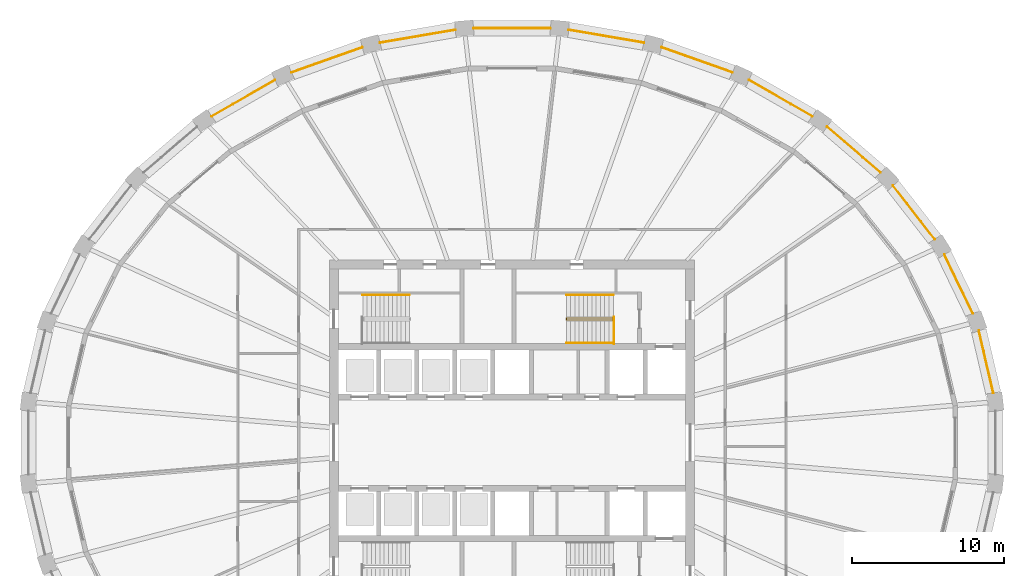
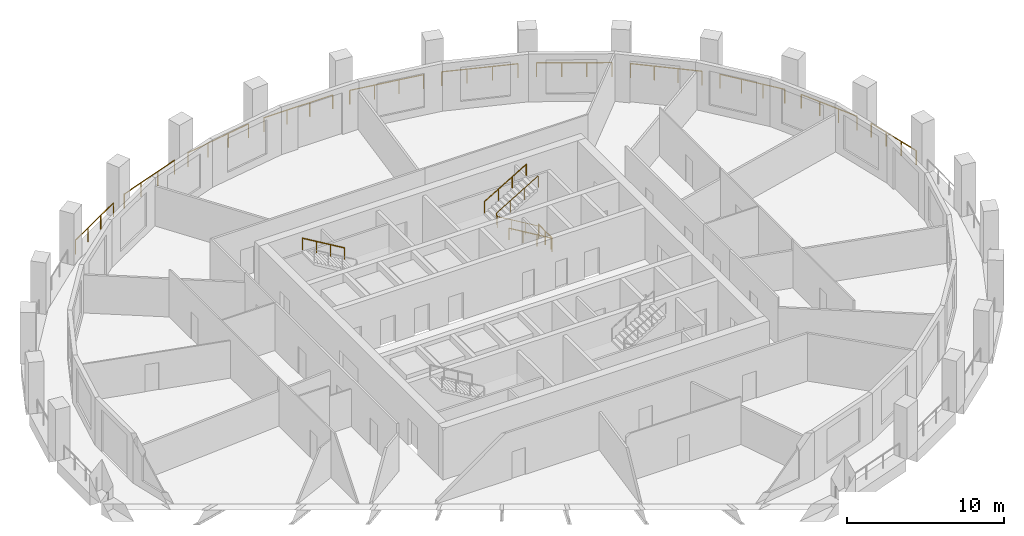
# One storey, part 10 of 11: 16 railings.
"""IFC4 building model written with IfcOpenShell, lengths in metres."""

import ifcopenshell
import ifcopenshell.guid

model = None  # the IFC model being written
_history = None  # IfcOwnerHistory: only IFC2X3 demands one
_inside = {}  # id of a spatial element -> (the spatial element, [elements in it])
_under = {}  # id of a project, library or spatial element -> (it, [spatial elements below it])
_declared = {}  # id of a project -> (the project, [libraries it declares])
_typed = {}  # id of a type object -> (the type object, [elements of that type])
_made_of = {}  # id of a material, layer set ... -> (it, [elements and type objects made of it])


def new_model(schema):
    """Start an empty IFC model of exactly this schema.

    Asked for "IFC4X3", IfcOpenShell would pick the latest addendum, in which some entities
    have other attributes; the version numbers below select the first issue.
    IFC2X3 requires an IfcOwnerHistory on every rooted entity: one is made here for all.
    """
    global model, _history
    if schema == "IFC4X3":
        model = ifcopenshell.file(schema_version=(4, 3, 0, 0))
    else:
        model = ifcopenshell.file(schema=schema)
    _inside.clear()
    _under.clear()
    _declared.clear()
    _typed.clear()
    _made_of.clear()
    _history = None
    if model.schema == "IFC2X3":
        org = make("IfcOrganization", Name="unknown")
        user = make(
            "IfcPersonAndOrganization",
            ThePerson=make("IfcPerson", FamilyName="unknown"),
            TheOrganization=org,
        )
        app = make(
            "IfcApplication",
            ApplicationDeveloper=org,
            Version="unknown",
            ApplicationFullName="unknown",
            ApplicationIdentifier="unknown",
        )
        _history = make(
            "IfcOwnerHistory",
            OwningUser=user,
            OwningApplication=app,
            ChangeAction="ADDED",
            CreationDate=0,
        )
    return model


def make(cls, **values):
    """One entity of the class cls with the attributes given. An attribute that is None is left unset."""
    return model.create_entity(
        cls, **{name: value for name, value in values.items() if value is not None}
    )


def rooted(cls, **values):
    """An entity with a GlobalId (a new one), such as an element, a storey or a relation."""
    return make(cls, GlobalId=ifcopenshell.guid.new(), OwnerHistory=_history, **values)


def si_unit(unit_type, name, prefix=None):
    """IfcSIUnit, for example si_unit("LENGTHUNIT", "METRE", prefix="MILLI")."""
    return make("IfcSIUnit", UnitType=unit_type, Prefix=prefix, Name=name)


def assignment(units):
    """IfcUnitAssignment: the units of a project."""
    return None if units is None else make("IfcUnitAssignment", Units=units)


def point(xyz):
    """IfcCartesianPoint."""
    return None if xyz is None else make("IfcCartesianPoint", Coordinates=xyz)


def direction(xyz):
    """IfcDirection."""
    return None if xyz is None else make("IfcDirection", DirectionRatios=xyz)


def frame(location, z_axis=None, x_axis=None):
    """IfcAxis2Placement3D, a coordinate frame: its origin and axes. An axis left out is left unset."""
    return make(
        "IfcAxis2Placement3D",
        Location=point(location),
        Axis=direction(z_axis),
        RefDirection=direction(x_axis),
    )


def frame_2d(location, x_axis=None):
    """IfcAxis2Placement2D, a coordinate frame in the plane: its origin and x axis."""
    return make(
        "IfcAxis2Placement2D", Location=point(location), RefDirection=direction(x_axis)
    )


def origin():
    """The frame at (0, 0, 0) with its axes left unset."""
    return frame((0.0, 0.0, 0.0))


def origin_2d():
    """The frame at (0, 0) in the plane with its x axis left unset."""
    return frame_2d((0.0, 0.0))


def place(relative_to, where):
    """IfcLocalPlacement: puts the frame where relative to a parent placement (None: the world)."""
    return make(
        "IfcLocalPlacement", PlacementRelTo=relative_to, RelativePlacement=where
    )


def context(
    kind, dimensions, precision=None, world=None, true_north=None, identifier=None
):
    """IfcGeometricRepresentationContext, for example the 3D "Model" context."""
    return make(
        "IfcGeometricRepresentationContext",
        ContextIdentifier=identifier,
        ContextType=kind,
        CoordinateSpaceDimension=dimensions,
        Precision=precision,
        WorldCoordinateSystem=world,
        TrueNorth=true_north,
    )


def subcontext(parent, identifier, kind, view, scale=None):
    """IfcGeometricRepresentationSubContext, for example "Body" below "Model"."""
    return make(
        "IfcGeometricRepresentationSubContext",
        ContextIdentifier=identifier,
        ContextType=kind,
        ParentContext=parent,
        TargetScale=scale,
        TargetView=view,
    )


def project(units=None, contexts=None):
    """IfcProject with its units and contexts."""
    return rooted(
        "IfcProject",
        Name="project",
        RepresentationContexts=contexts,
        UnitsInContext=assignment(units),
    )


def spatial(cls, under=None, at=None, **own):
    """A site, building, storey or space (cls), placed at a placement, below another one or the project."""
    s = rooted(cls, ObjectPlacement=at, **own)
    if under is not None:
        _under.setdefault(under.id(), (under, []))[1].append(s)
    return s


def profile(cls, at=None, kind="AREA", **sizes):
    """A parametric profile (cls). Its sizes go by their IFC names, for example OverallWidth=200.0."""
    return make(cls, ProfileType=kind, Position=at, **sizes)


def circle(**sizes):
    """IfcCircleProfileDef."""
    return profile("IfcCircleProfileDef", **sizes)


def extrude(swept, where, along, depth):
    """IfcExtrudedAreaSolid: the profile swept, set in the frame where, extruded along a direction by depth."""
    return make(
        "IfcExtrudedAreaSolid",
        SweptArea=swept,
        Position=where,
        ExtrudedDirection=direction(along),
        Depth=depth,
    )


def shape(context_of_items, identifier, shape_type, items):
    """IfcShapeRepresentation: the items that make up one representation, for example the "Body"."""
    return make(
        "IfcShapeRepresentation",
        ContextOfItems=context_of_items,
        RepresentationIdentifier=identifier,
        RepresentationType=shape_type,
        Items=items,
    )


def material(Name=None, Category=None):
    """IfcMaterial."""
    return make("IfcMaterial", Name=Name, Category=Category)


def made_of(thing, what):
    """Note that an element or type object is made of a material, layer set ...; save() writes the relation."""
    if what is not None:
        _made_of.setdefault(what.id(), (what, []))[1].append(thing)
    return thing


def type_object(cls, material=None, **own):
    """A type object (cls), such as IfcWallType, which elements share."""
    return made_of(rooted(cls, **own), material)


def element(
    cls,
    number,
    at=None,
    inside=None,
    cuts=None,
    type_object=None,
    material=None,
    context=None,
    identifier="Body",
    shape_type=None,
    held_by="IfcProductDefinitionShape",
    body=None,
    shapes=None,
    **own,
):
    """One element of the class cls, such as IfcWall. Its Tag is "e" and its number.

    at: its placement. inside: the storey or other place that contains it. cuts: it is an
    opening in that element (IfcRelVoidsElement). A single representation is given by context,
    identifier, shape_type and body (its items); several are given by shapes. held_by: the class
    of the entity that holds the representations. save() writes the other relations.
    """
    e = rooted(cls, Tag="e%d" % number, ObjectPlacement=at, **own)
    if body is not None:
        shapes = [shape(context, identifier, shape_type, body)]
    if shapes is not None:
        e.Representation = make(held_by, Representations=shapes)
    if inside is not None:
        _inside.setdefault(inside.id(), (inside, []))[1].append(e)
    if cuts is not None:
        rooted(
            "IfcRelVoidsElement", RelatingBuildingElement=cuts, RelatedOpeningElement=e
        )
    if type_object is not None:
        _typed.setdefault(type_object.id(), (type_object, []))[1].append(e)
    return made_of(e, material)


def aggregate(whole, parts):
    """IfcRelAggregates: a whole, such as a stair, and the parts it consists of."""
    return rooted("IfcRelAggregates", RelatingObject=whole, RelatedObjects=parts)


def save(model, path):
    """Write the relations noted so far, then the file.

    IfcRelAggregates (storeys below a building ...), IfcRelContainedInSpatialStructure (elements
    in a storey), IfcRelDefinesByType, IfcRelAssociatesMaterial and IfcRelDeclares: one each for
    every whole, place, type object, material and project.
    """
    for whole, parts in _under.values():
        aggregate(whole, parts)
    for where, things in _inside.values():
        rooted(
            "IfcRelContainedInSpatialStructure",
            RelatedElements=things,
            RelatingStructure=where,
        )
    for kind, things in _typed.values():
        rooted("IfcRelDefinesByType", RelatedObjects=things, RelatingType=kind)
    for what, things in _made_of.values():
        rooted("IfcRelAssociatesMaterial", RelatedObjects=things, RelatingMaterial=what)
    for by, libraries in _declared.values():
        rooted("IfcRelDeclares", RelatingContext=by, RelatedDefinitions=libraries)
    model.write(path)


model = new_model("IFC4")

# Units and contexts
model_context = context("Model", 3, precision=1e-05, world=origin(), true_north=direction((0.0, 1.0)))
body_context = subcontext(model_context, "Body", "Model", "MODEL_VIEW")
ifc_project = project(units=[si_unit("LENGTHUNIT", "METRE"), si_unit("AREAUNIT", "SQUARE_METRE"), si_unit("VOLUMEUNIT", "CUBIC_METRE"), si_unit("PLANEANGLEUNIT", "RADIAN"), si_unit("MASSUNIT", "GRAM", prefix="KILO")], contexts=[model_context])

# Site, building, storey
site_placement = place(None, origin())
site = spatial("IfcSite", under=ifc_project, at=site_placement, CompositionType="ELEMENT")
building_placement = place(site_placement, origin())
building = spatial("IfcBuilding", under=site, at=building_placement, Name="Halqa Exchange Tower", CompositionType="ELEMENT")
storey_placement = place(building_placement, frame((0.0, 0.0, 218.89990234375)))
storey = spatial("IfcBuildingStorey", under=building, at=storey_placement, Name="L50", CompositionType="ELEMENT", Elevation=218.89990234375)

# Railings
ifc_material = material(Name="Stainless steel", Category="steel")
railing_type_1 = type_object("IfcRailingType", Name="Guard 1100 stainless steel", PredefinedType="GUARDRAIL", material=ifc_material)
railing_1_placement = place(storey_placement, frame((31.60546875, 3.26416015625, 0.0)))
element("IfcRailing", 1, at=railing_1_placement, inside=storey, type_object=railing_type_1, Name="Loggia guard 1", PredefinedType="GUARDRAIL", context=body_context, shape_type="SweptSolid", body=[
    extrude(circle(Radius=0.02392578125, at=origin_2d()), frame((0.0, 0.0, 1.076171875), z_axis=(-0.226057733886, 0.974113905532, 0.0), x_axis=(-0.974113905532, -0.226057733886, 0.0)), (0.0, 0.0, 1.0), 4.19580078125),
    extrude(circle(Radius=0.02099609375, at=origin_2d()), origin(), (0.0, 0.0, 1.0), 1.052001953125),
    extrude(circle(Radius=0.02099609375, at=origin_2d()), frame((-0.316162109375, 1.3623046875, 0.0)), (0.0, 0.0, 1.0), 1.052001953125),
    extrude(circle(Radius=0.02099609375, at=origin_2d()), frame((-0.63232421875, 2.724853515625, 0.0)), (0.0, 0.0, 1.0), 1.052001953125),
    extrude(circle(Radius=0.02099609375, at=origin_2d()), frame((-0.948486328125, 4.087158203125, 0.0)), (0.0, 0.0, 1.0), 1.052001953125),
])
railing_2_placement = place(storey_placement, frame((30.26025390625, 8.47607421875, 0.0)))
element("IfcRailing", 2, at=railing_2_placement, inside=storey, type_object=railing_type_1, Name="Loggia guard 2", PredefinedType="GUARDRAIL", context=body_context, shape_type="SweptSolid", body=[
    extrude(circle(Radius=0.02392578125, at=origin_2d()), frame((0.0, 0.0, 1.076171875), z_axis=(-0.435111117013, 0.900376763278, 0.0), x_axis=(-0.900376763278, -0.435111117013, 0.0)), (0.0, 0.0, 1.0), 4.299072265625),
    extrude(circle(Radius=0.02099609375, at=origin_2d()), origin(), (0.0, 0.0, 1.0), 1.052001953125),
    extrude(circle(Radius=0.02099609375, at=origin_2d()), frame((-0.62353515625, 1.290283203125, 0.0)), (0.0, 0.0, 1.0), 1.052001953125),
    extrude(circle(Radius=0.02099609375, at=origin_2d()), frame((-1.2470703125, 2.58056640625, 0.0)), (0.0, 0.0, 1.0), 1.052001953125),
    extrude(circle(Radius=0.02099609375, at=origin_2d()), frame((-1.87060546875, 3.870849609375, 0.0)), (0.0, 0.0, 1.0), 1.052001953125),
])
railing_3_placement = place(storey_placement, frame((27.759765625, 13.3603515625, 0.0)))
element("IfcRailing", 3, at=railing_3_placement, inside=storey, type_object=railing_type_1, Name="Loggia guard 3", PredefinedType="GUARDRAIL", context=body_context, shape_type="SweptSolid", body=[
    extrude(circle(Radius=0.02392578125, at=origin_2d()), frame((0.0, 0.0, 1.076171875), z_axis=(-0.614817574513, 0.788669354083, 0.0), x_axis=(-0.788669354083, -0.614817574513, 0.0)), (0.0, 0.0, 1.0), 4.4501953125),
    extrude(circle(Radius=0.02099609375, at=origin_2d()), origin(), (0.0, 0.0, 1.0), 1.052001953125),
    extrude(circle(Radius=0.02099609375, at=origin_2d()), frame((-0.912109375, 1.169921875, 0.0)), (0.0, 0.0, 1.0), 1.052001953125),
    extrude(circle(Radius=0.02099609375, at=origin_2d()), frame((-1.823974609375, 2.33984375, 0.0)), (0.0, 0.0, 1.0), 1.052001953125),
    extrude(circle(Radius=0.02099609375, at=origin_2d()), frame((-2.736083984375, 3.509765625, 0.0)), (0.0, 0.0, 1.0), 1.052001953125),
])
railing_4_placement = place(storey_placement, frame((24.199462890625, 17.733642578125, 0.0)))
element("IfcRailing", 4, at=railing_4_placement, inside=storey, type_object=railing_type_1, Name="Loggia guard 4", PredefinedType="GUARDRAIL", context=body_context, shape_type="SweptSolid", body=[
    extrude(circle(Radius=0.02392578125, at=origin_2d()), frame((0.0, 0.0, 1.076171875), z_axis=(-0.759282695438, 0.650760930302, 0.0), x_axis=(-0.650760930302, -0.759282695438, 0.0)), (0.0, 0.0, 1.0), 4.623046875),
    extrude(circle(Radius=0.02099609375, at=origin_2d()), origin(), (0.0, 0.0, 1.0), 1.052001953125),
    extrude(circle(Radius=0.02099609375, at=origin_2d()), frame((-1.170166015625, 1.0029296875, 0.0)), (0.0, 0.0, 1.0), 1.052001953125),
    extrude(circle(Radius=0.02099609375, at=origin_2d()), frame((-2.340087890625, 2.005615234375, 0.0)), (0.0, 0.0, 1.0), 1.052001953125),
    extrude(circle(Radius=0.02099609375, at=origin_2d()), frame((-3.51025390625, 3.008544921875, 0.0)), (0.0, 0.0, 1.0), 1.052001953125),
])
railing_5_placement = place(storey_placement, frame((19.713134765625, 21.430908203125, 0.0)))
element("IfcRailing", 5, at=railing_5_placement, inside=storey, type_object=railing_type_1, Name="Loggia guard 5", PredefinedType="GUARDRAIL", context=body_context, shape_type="SweptSolid", body=[
    extrude(circle(Radius=0.02392578125, at=origin_2d()), frame((0.0, 0.0, 1.076171875), z_axis=(-0.867744081254, 0.497011276983, 0.0), x_axis=(-0.497011276983, -0.867744081254, 0.0)), (0.0, 0.0, 1.0), 4.790771484375),
    extrude(circle(Radius=0.02099609375, at=origin_2d()), origin(), (0.0, 0.0, 1.0), 1.052001953125),
    extrude(circle(Radius=0.02099609375, at=origin_2d()), frame((-1.3857421875, 0.793701171875, 0.0)), (0.0, 0.0, 1.0), 1.052001953125),
    extrude(circle(Radius=0.02099609375, at=origin_2d()), frame((-2.771484375, 1.58740234375, 0.0)), (0.0, 0.0, 1.0), 1.052001953125),
    extrude(circle(Radius=0.02099609375, at=origin_2d()), frame((-4.1572265625, 2.381103515625, 0.0)), (0.0, 0.0, 1.0), 1.052001953125),
])
railing_6_placement = place(storey_placement, frame((14.4697265625, 24.310791015625, 0.0)))
element("IfcRailing", 6, at=railing_6_placement, inside=storey, type_object=railing_type_1, Name="Loggia guard 6", PredefinedType="GUARDRAIL", context=body_context, shape_type="SweptSolid", body=[
    extrude(circle(Radius=0.02392578125, at=origin_2d()), frame((0.0, 0.0, 1.076171875), z_axis=(-0.942353210316, 0.334619824589, 0.0), x_axis=(-0.334619824589, -0.942353210316, 0.0)), (0.0, 0.0, 1.0), 4.929931640625),
    extrude(circle(Radius=0.02099609375, at=origin_2d()), origin(), (0.0, 0.0, 1.0), 1.052001953125),
    extrude(circle(Radius=0.02099609375, at=origin_2d()), frame((-1.548583984375, 0.5498046875, 0.0)), (0.0, 0.0, 1.0), 1.052001953125),
    extrude(circle(Radius=0.02099609375, at=origin_2d()), frame((-3.09716796875, 1.099853515625, 0.0)), (0.0, 0.0, 1.0), 1.052001953125),
    extrude(circle(Radius=0.02099609375, at=origin_2d()), frame((-4.645751953125, 1.649658203125, 0.0)), (0.0, 0.0, 1.0), 1.052001953125),
])
railing_7_placement = place(storey_placement, frame((8.6669921875, 26.261962890625, 0.0)))
element("IfcRailing", 7, at=railing_7_placement, inside=storey, type_object=railing_type_1, Name="Loggia guard 7", PredefinedType="GUARDRAIL", context=body_context, shape_type="SweptSolid", body=[
    extrude(circle(Radius=0.02392578125, at=origin_2d()), frame((0.0, 0.0, 1.076171875), z_axis=(-0.985769265173, 0.168104003044, 0.0), x_axis=(-0.168104003044, -0.985769265173, 0.0)), (0.0, 0.0, 1.0), 5.020751953125),
    extrude(circle(Radius=0.02099609375, at=origin_2d()), origin(), (0.0, 0.0, 1.0), 1.052001953125),
    extrude(circle(Radius=0.02099609375, at=origin_2d()), frame((-1.649658203125, 0.28125, 0.0)), (0.0, 0.0, 1.0), 1.052001953125),
    extrude(circle(Radius=0.02099609375, at=origin_2d()), frame((-3.299560546875, 0.562744140625, 0.0)), (0.0, 0.0, 1.0), 1.052001953125),
    extrude(circle(Radius=0.02099609375, at=origin_2d()), frame((-4.94921875, 0.843994140625, 0.0)), (0.0, 0.0, 1.0), 1.052001953125),
])
railing_8_placement = place(storey_placement, frame((2.526123046875, 27.206787109375, 0.0)))
element("IfcRailing", 8, at=railing_8_placement, inside=storey, type_object=railing_type_1, Name="Loggia guard 8", PredefinedType="GUARDRAIL", context=body_context, shape_type="SweptSolid", body=[
    extrude(circle(Radius=0.02392578125, at=origin_2d()), frame((0.0, 0.0, 1.076171875), z_axis=(-1.0, 0.0, 0.0), x_axis=(0.0, -1.0, 0.0)), (0.0, 0.0, 1.0), 5.05224609375),
    extrude(circle(Radius=0.02099609375, at=origin_2d()), origin(), (0.0, 0.0, 1.0), 1.052001953125),
    extrude(circle(Radius=0.02099609375, at=origin_2d()), frame((-1.68408203125, 0.0, 0.0)), (0.0, 0.0, 1.0), 1.052001953125),
    extrude(circle(Radius=0.02099609375, at=origin_2d()), frame((-3.3681640625, 0.0, 0.0)), (0.0, 0.0, 1.0), 1.052001953125),
    extrude(circle(Radius=0.02099609375, at=origin_2d()), frame((-5.05224609375, 0.0, 0.0)), (0.0, 0.0, 1.0), 1.052001953125),
])
railing_9_placement = place(storey_placement, frame((-3.7177734375, 27.10595703125, 0.0)))
element("IfcRailing", 9, at=railing_9_placement, inside=storey, type_object=railing_type_1, Name="Loggia guard 9", PredefinedType="GUARDRAIL", context=body_context, shape_type="SweptSolid", body=[
    extrude(circle(Radius=0.02392578125, at=origin_2d()), frame((0.0, 0.0, 1.076171875), z_axis=(-0.985769265173, -0.168104003044, 0.0), x_axis=(0.168104003044, -0.985769265173, 0.0)), (0.0, 0.0, 1.0), 5.020751953125),
    extrude(circle(Radius=0.02099609375, at=origin_2d()), origin(), (0.0, 0.0, 1.0), 1.052001953125),
    extrude(circle(Radius=0.02099609375, at=origin_2d()), frame((-1.649658203125, -0.28125, 0.0)), (0.0, 0.0, 1.0), 1.052001953125),
    extrude(circle(Radius=0.02099609375, at=origin_2d()), frame((-3.299560546875, -0.562744140625, 0.0)), (0.0, 0.0, 1.0), 1.052001953125),
    extrude(circle(Radius=0.02099609375, at=origin_2d()), frame((-4.94921875, -0.843994140625, 0.0)), (0.0, 0.0, 1.0), 1.052001953125),
])
railing_10_placement = place(storey_placement, frame((-9.823974609375, 25.96044921875, 0.0)))
element("IfcRailing", 10, at=railing_10_placement, inside=storey, type_object=railing_type_1, Name="Loggia guard 10", PredefinedType="GUARDRAIL", context=body_context, shape_type="SweptSolid", body=[
    extrude(circle(Radius=0.02392578125, at=origin_2d()), frame((0.0, 0.0, 1.076171875), z_axis=(-0.942353210316, -0.334619824589, 0.0), x_axis=(0.334619824589, -0.942353210316, 0.0)), (0.0, 0.0, 1.0), 4.929931640625),
    extrude(circle(Radius=0.02099609375, at=origin_2d()), origin(), (0.0, 0.0, 1.0), 1.052001953125),
    extrude(circle(Radius=0.02099609375, at=origin_2d()), frame((-1.548583984375, -0.5498046875, 0.0)), (0.0, 0.0, 1.0), 1.052001953125),
    extrude(circle(Radius=0.02099609375, at=origin_2d()), frame((-3.09716796875, -1.099853515625, 0.0)), (0.0, 0.0, 1.0), 1.052001953125),
    extrude(circle(Radius=0.02099609375, at=origin_2d()), frame((-4.645751953125, -1.649658203125, 0.0)), (0.0, 0.0, 1.0), 1.052001953125),
])
railing_11_placement = place(storey_placement, frame((-15.555908203125, 23.81201171875, 0.0)))
element("IfcRailing", 11, at=railing_11_placement, inside=storey, type_object=railing_type_1, Name="Loggia guard 11", PredefinedType="GUARDRAIL", context=body_context, shape_type="SweptSolid", body=[
    extrude(circle(Radius=0.02392578125, at=origin_2d()), frame((0.0, 0.0, 1.076171875), z_axis=(-0.867744081254, -0.497011276983, 0.0), x_axis=(0.497011276983, -0.867744081254, 0.0)), (0.0, 0.0, 1.0), 4.790771484375),
    extrude(circle(Radius=0.02099609375, at=origin_2d()), origin(), (0.0, 0.0, 1.0), 1.052001953125),
    extrude(circle(Radius=0.02099609375, at=origin_2d()), frame((-1.3857421875, -0.793701171875, 0.0)), (0.0, 0.0, 1.0), 1.052001953125),
    extrude(circle(Radius=0.02099609375, at=origin_2d()), frame((-2.771484375, -1.58740234375, 0.0)), (0.0, 0.0, 1.0), 1.052001953125),
    extrude(circle(Radius=0.02099609375, at=origin_2d()), frame((-4.1572265625, -2.381103515625, 0.0)), (0.0, 0.0, 1.0), 1.052001953125),
])
railing_type_2 = type_object("IfcRailingType", Name="Stair handrail 900", PredefinedType="HANDRAIL", material=ifc_material)
railing_12_placement = place(storey_placement, frame((-6.719970703125, 9.699951171875, 2.166748046875)))
element("IfcRailing", 12, at=railing_12_placement, inside=storey, type_object=railing_type_2, Name="Handrail ST1.3", PredefinedType="HANDRAIL", context=body_context, shape_type="SweptSolid", body=[
    extrude(circle(Radius=0.02392578125, at=origin_2d()), frame((0.0, 0.0, 0.8759765625), z_axis=(-0.859308565015, 0.0, 0.511457515432), x_axis=(0.0, -1.0, 0.0)), (0.0, 0.0, 1.0), 3.58447265625),
    extrude(circle(Radius=0.02099609375, at=origin_2d()), origin(), (0.0, 0.0, 1.0), 0.851806640625),
    extrude(circle(Radius=0.02099609375, at=origin_2d()), frame((-1.026611328125, 0.0, 0.611083984375)), (0.0, 0.0, 1.0), 0.851806640625),
    extrude(circle(Radius=0.02099609375, at=origin_2d()), frame((-2.053466796875, 0.0, 1.22216796875)), (0.0, 0.0, 1.0), 0.851806640625),
    extrude(circle(Radius=0.02099609375, at=origin_2d()), frame((-3.080078125, 0.0, 1.833251953125)), (0.0, 0.0, 1.0), 0.851806640625),
])
railing_13_placement = place(storey_placement, frame((6.64990234375, 8.06005859375, 0.166748046875)))
element("IfcRailing", 13, at=railing_13_placement, inside=storey, type_object=railing_type_2, Name="Handrail ST2.1", PredefinedType="HANDRAIL", context=body_context, shape_type="SweptSolid", body=[
    extrude(circle(Radius=0.02392578125, at=origin_2d()), frame((0.0, 0.0, 0.8759765625), z_axis=(-0.859290745958, 0.0, 0.51148745235), x_axis=(0.0, -1.0, 0.0)), (0.0, 0.0, 1.0), 3.584228515625),
    extrude(circle(Radius=0.02392578125, at=origin_2d()), frame((-3.079833984375, 0.0, 2.708984375), z_axis=(0.0, 0.614500226555, 0.788916644243), x_axis=(-1.0, 0.0, 0.0)), (0.0, 0.0, 1.0), 0.21142578125),
    extrude(circle(Radius=0.02392578125, at=origin_2d()), frame((-3.079833984375, 0.1298828125, 2.8759765625), z_axis=(0.859290745958, 0.0, 0.51148745235), x_axis=(0.0, 1.0, 0.0)), (0.0, 0.0, 1.0), 3.584228515625),
    extrude(circle(Radius=0.02099609375, at=origin_2d()), origin(), (0.0, 0.0, 1.0), 0.851806640625),
    extrude(circle(Radius=0.02099609375, at=origin_2d()), frame((-1.026611328125, 0.0, 0.611083984375)), (0.0, 0.0, 1.0), 0.851806640625),
    extrude(circle(Radius=0.02099609375, at=origin_2d()), frame((-2.05322265625, 0.0, 1.22216796875)), (0.0, 0.0, 1.0), 0.851806640625),
    extrude(circle(Radius=0.02099609375, at=origin_2d()), frame((-3.079833984375, 0.0, 1.833251953125)), (0.0, 0.0, 1.0), 0.851806640625),
    extrude(circle(Radius=0.02099609375, at=origin_2d()), frame((-3.079833984375, 0.1298828125, 2.0)), (0.0, 0.0, 1.0), 0.851806640625),
    extrude(circle(Radius=0.02099609375, at=origin_2d()), frame((-2.05322265625, 0.1298828125, 2.611083984375)), (0.0, 0.0, 1.0), 0.851806640625),
    extrude(circle(Radius=0.02099609375, at=origin_2d()), frame((-1.026611328125, 0.1298828125, 3.22216796875)), (0.0, 0.0, 1.0), 0.851806640625),
    extrude(circle(Radius=0.02099609375, at=origin_2d()), frame((0.0, 0.1298828125, 3.833251953125)), (0.0, 0.0, 1.0), 0.851806640625),
])
railing_14_placement = place(storey_placement, frame((6.64990234375, 6.550048828125, 0.166748046875)))
element("IfcRailing", 14, at=railing_14_placement, inside=storey, type_object=railing_type_2, Name="Handrail ST2.2", PredefinedType="HANDRAIL", context=body_context, shape_type="SweptSolid", body=[
    extrude(circle(Radius=0.02392578125, at=origin_2d()), frame((0.0, 0.0, 0.8759765625), z_axis=(-0.859290745958, 0.0, 0.51148745235), x_axis=(0.0, -1.0, 0.0)), (0.0, 0.0, 1.0), 3.584228515625),
    extrude(circle(Radius=0.02099609375, at=origin_2d()), origin(), (0.0, 0.0, 1.0), 0.851806640625),
    extrude(circle(Radius=0.02099609375, at=origin_2d()), frame((-1.026611328125, 0.0, 0.611083984375)), (0.0, 0.0, 1.0), 0.851806640625),
    extrude(circle(Radius=0.02099609375, at=origin_2d()), frame((-2.05322265625, 0.0, 1.22216796875)), (0.0, 0.0, 1.0), 0.851806640625),
    extrude(circle(Radius=0.02099609375, at=origin_2d()), frame((-3.079833984375, 0.0, 1.833251953125)), (0.0, 0.0, 1.0), 0.851806640625),
])
railing_15_placement = place(storey_placement, frame((3.570068359375, 9.699951171875, 2.166748046875)))
element("IfcRailing", 15, at=railing_15_placement, inside=storey, type_object=railing_type_2, Name="Handrail ST2.3", PredefinedType="HANDRAIL", context=body_context, shape_type="SweptSolid", body=[
    extrude(circle(Radius=0.02392578125, at=origin_2d()), frame((0.0, 0.0, 0.8759765625), z_axis=(0.859290745958, 0.0, 0.51148745235), x_axis=(0.0, 1.0, 0.0)), (0.0, 0.0, 1.0), 3.584228515625),
    extrude(circle(Radius=0.02099609375, at=origin_2d()), origin(), (0.0, 0.0, 1.0), 0.851806640625),
    extrude(circle(Radius=0.02099609375, at=origin_2d()), frame((1.026611328125, 0.0, 0.611083984375)), (0.0, 0.0, 1.0), 0.851806640625),
    extrude(circle(Radius=0.02099609375, at=origin_2d()), frame((2.05322265625, 0.0, 1.22216796875)), (0.0, 0.0, 1.0), 0.851806640625),
    extrude(circle(Radius=0.02099609375, at=origin_2d()), frame((3.079833984375, 0.0, 1.833251953125)), (0.0, 0.0, 1.0), 0.851806640625),
])
railing_type_3 = type_object("IfcRailingType", Name="Stair well guard 1100", PredefinedType="GUARDRAIL", material=ifc_material)
railing_16_placement = place(storey_placement, frame((6.699951171875, 6.5, 0.0)))
element("IfcRailing", 16, at=railing_16_placement, inside=storey, type_object=railing_type_3, Name="Guard ST2 well", PredefinedType="GUARDRAIL", context=body_context, shape_type="SweptSolid", body=[
    extrude(circle(Radius=0.02392578125, at=origin_2d()), frame((0.0, 0.0, 1.076171875), z_axis=(0.0, 1.0, 0.0), x_axis=(-1.0, 0.0, 0.0)), (0.0, 0.0, 1.0), 1.75),
    extrude(circle(Radius=0.02099609375, at=origin_2d()), origin(), (0.0, 0.0, 1.0), 1.052001953125),
    extrude(circle(Radius=0.02099609375, at=origin_2d()), frame((0.0, 0.875, 0.0)), (0.0, 0.0, 1.0), 1.052001953125),
    extrude(circle(Radius=0.02099609375, at=origin_2d()), frame((0.0, 1.75, 0.0)), (0.0, 0.0, 1.0), 1.052001953125),
])

save(model, "model.ifc")
